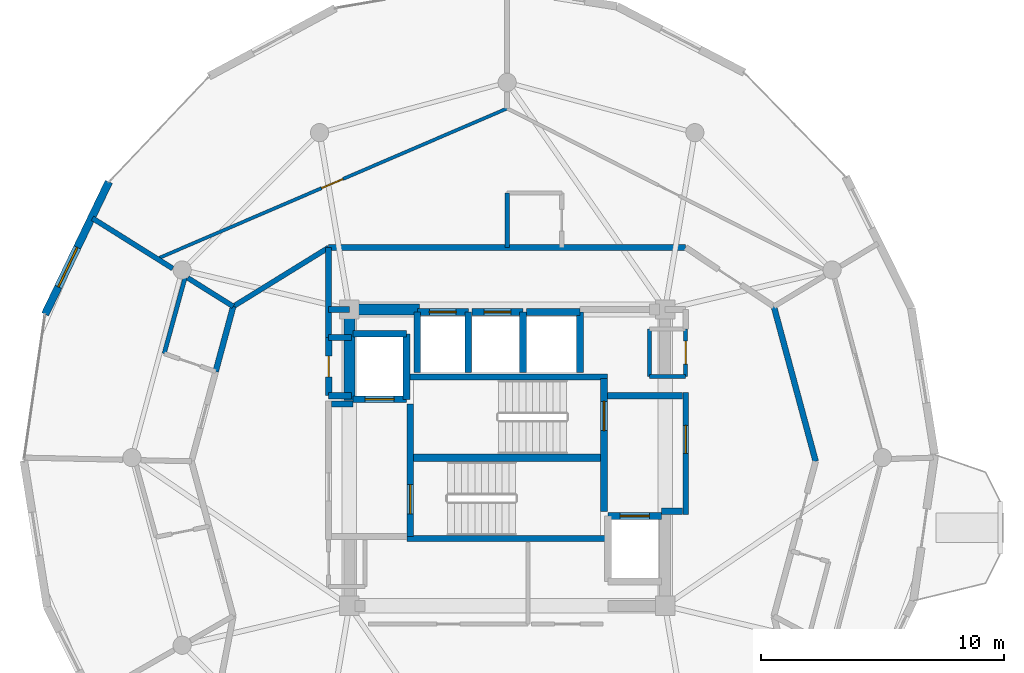
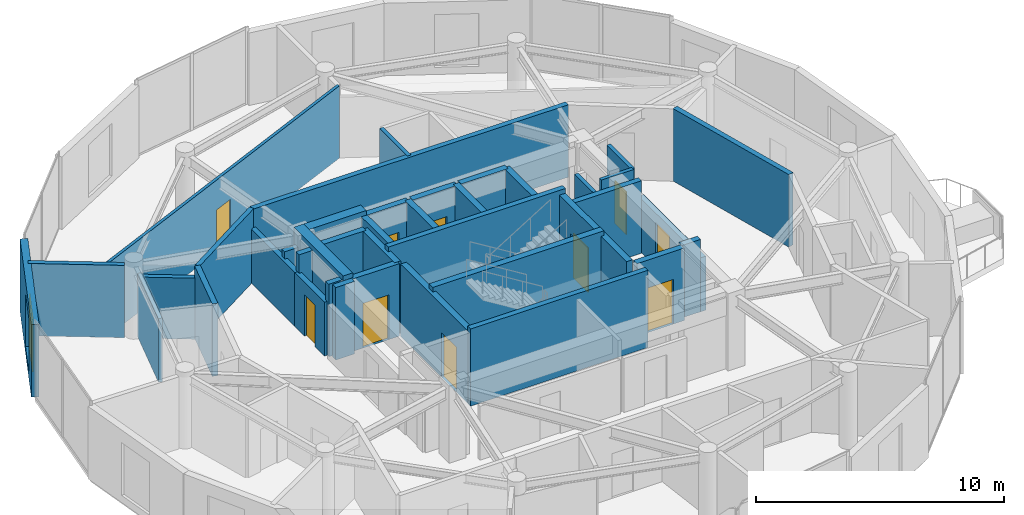
# One storey, part 18 of 22: 40 walls, 10 doors, 1 window, 11 openings.
"""IFC4 building model written with IfcOpenShell, lengths in metres."""

from ifc_helpers import new_model, si_unit, direction, frame, frame_2d, origin, place, context, subcontext, project, spatial, rectangle, extrude, material, layer, layer_set, type_object, element, fill, save


model = new_model("IFC4")

# Units and contexts
model_context = context("Model", 3, precision=1e-05, world=origin(), true_north=direction((0.0, 1.0)))
body_context = subcontext(model_context, "Body", "Model", "MODEL_VIEW")
ifc_project = project(units=[si_unit("LENGTHUNIT", "METRE"), si_unit("AREAUNIT", "SQUARE_METRE"), si_unit("VOLUMEUNIT", "CUBIC_METRE"), si_unit("PLANEANGLEUNIT", "RADIAN"), si_unit("MASSUNIT", "GRAM", prefix="KILO")], contexts=[model_context])

# Site, building, storey
site_placement = place(None, origin())
site = spatial("IfcSite", under=ifc_project, at=site_placement, CompositionType="ELEMENT")
building_placement = place(site_placement, origin())
building = spatial("IfcBuilding", under=site, at=building_placement, Name="Solvirekh Grand Hotel", CompositionType="ELEMENT")
storey_placement = place(building_placement, frame((0.0, 0.0, 278.199951171875)))
storey = spatial("IfcBuildingStorey", under=building, at=storey_placement, Name="L72", CompositionType="ELEMENT", Elevation=278.199951171875)

# Walls
ifc_material_1 = material(Name="Concrete C50/60", Category="concrete")
ifc_layer_1 = layer(ifc_material_1, 0.35009765625)
ifc_layer_set_1 = layer_set([ifc_layer_1], Name="Concrete C50/60")
wall_type_1 = type_object("IfcWallType", Name="CoreDivWall_RC350", PredefinedType="SOLIDWALL", material=ifc_layer_set_1)
for number, where, z_axis, x_axis, name in (
    (1, (-4.1298828125, -3.324951171875, 0.0), (0.0, 0.0, 1.0), (1.0, 0.0, 0.0), "L72 core stair box wall ST-S"),
    (2, (-4.1298828125, 3.324951171875, 0.0), (0.0, 0.0, 1.0), (1.0, 0.0, 0.0), "L72 core stair box wall ST-N"),
):
    element("IfcWall", number, at=place(storey_placement, frame(where, z_axis=z_axis, x_axis=x_axis)), inside=storey, type_object=wall_type_1, Name=name, PredefinedType="SOLIDWALL", context=body_context, shape_type="SweptSolid", body=[
        extrude(rectangle(XDim=8.259765625, YDim=0.25, at=frame_2d((4.1298828125, 0.0))), origin(), (0.0, 0.0, 1.0), 3.800048828125),
    ])

# Wall, opening, door
ifc_material_2 = material(Name="Concrete C40/50", Category="concrete")
ifc_layer_2 = layer(ifc_material_2, 0.280029296875)
ifc_layer_set_2 = layer_set([ifc_layer_2], Name="Concrete C40/50")
wall_type_2 = type_object("IfcWallType", Name="CoreShaftWall_RC280", PredefinedType="SOLIDWALL", material=ifc_layer_set_2)
wall_1_placement = place(storey_placement, frame((-1.60009765625, 6.0, 0.0), z_axis=(0.0, 0.0, 1.0), x_axis=(-1.0, 0.0, 0.0)))
wall_1 = element("IfcWall", 3, at=wall_1_placement, inside=storey, type_object=wall_type_2, Name="L72 HP-1 hoistway N wall", PredefinedType="SOLIDWALL", context=body_context, shape_type="SweptSolid", body=[
    extrude(rectangle(XDim=2.099853515625, YDim=0.280029296875, at=frame_2d((1.0498046875, 0.0))), origin(), (0.0, 0.0, 1.0), 3.570068359375),
])
opening_1_placement = place(wall_1_placement, frame((0.5, 0.0, 0.0)))
opening_1 = element("IfcOpeningElement", 4, at=opening_1_placement, cuts=wall_1, Name="Opening LD01", PredefinedType="OPENING", context=body_context, shape_type="SweptSolid", body=[
    extrude(rectangle(XDim=1.10009765625, YDim=2.199951171875, at=frame_2d((0.550048828125, 1.10009765625))), frame((0.0, 0.14990234375, 0.0), z_axis=(0.0, -1.0, 0.0), x_axis=(1.0, 0.0, 0.0)), (0.0, 0.0, 1.0), 0.300048828125),
])
ifc_material_3 = material(Name="Fire-Rated Steel Door Assembly", Category="steel")
door_type_1 = type_object("IfcDoorType", Name="Door_LiftLanding_1100X2200", OperationType="SLIDING_TO_LEFT", PredefinedType="DOOR", material=ifc_material_3)
door_1_placement = place(opening_1_placement, origin())
door_1 = element("IfcDoor", 5, at=door_1_placement, inside=storey, type_object=door_type_1, Name="L72 HP-1 sliding lift landing door", OperationType="SLIDING_TO_LEFT", OverallHeight=2.199951171875, OverallWidth=1.10009765625, PredefinedType="DOOR", context=body_context, shape_type="SweptSolid", body=[
    extrude(rectangle(XDim=1.10009765625, YDim=2.199951171875, at=frame_2d((0.550048828125, 1.10009765625))), frame((0.0, 0.02490234375, 0.0), z_axis=(0.0, -1.0, 0.0), x_axis=(1.0, 0.0, 0.0)), (0.0, 0.0, 1.0), 0.050048828125),
])
fill(opening_1, door_1)

# Walls
for number, where, z_axis, x_axis, name in (
    (6, (-3.699951171875, 6.0, 0.0), (0.0, 0.0, 1.0), (0.0, -1.0, 0.0), "L72 HP-1 hoistway W wall"),
    (7, (-1.60009765625, 3.5, 0.0), (0.0, 0.0, 1.0), (0.0, 1.0, 0.0), "L72 HP-1 hoistway E wall"),
):
    element("IfcWall", number, at=place(storey_placement, frame(where, z_axis=z_axis, x_axis=x_axis)), inside=storey, type_object=wall_type_2, Name=name, PredefinedType="SOLIDWALL", context=body_context, shape_type="SweptSolid", body=[
        extrude(rectangle(XDim=2.5, YDim=0.280029296875, at=frame_2d((1.25, 0.0))), origin(), (0.0, 0.0, 1.0), 3.570068359375),
    ])

# Wall, opening, door
wall_2_placement = place(storey_placement, frame((0.64990234375, 6.0, 0.0), z_axis=(0.0, 0.0, 1.0), x_axis=(-1.0, 0.0, 0.0)))
wall_2 = element("IfcWall", 8, at=wall_2_placement, inside=storey, type_object=wall_type_2, Name="L72 HP-2 hoistway N wall", PredefinedType="SOLIDWALL", context=body_context, shape_type="SweptSolid", body=[
    extrude(rectangle(XDim=2.099853515625, YDim=0.280029296875, at=frame_2d((1.0498046875, 0.0))), origin(), (0.0, 0.0, 1.0), 3.570068359375),
])
opening_2_placement = place(wall_2_placement, frame((0.5, 0.0, 0.0)))
opening_2 = element("IfcOpeningElement", 9, at=opening_2_placement, cuts=wall_2, Name="Opening LD01", PredefinedType="OPENING", context=body_context, shape_type="SweptSolid", body=[
    extrude(rectangle(XDim=1.10009765625, YDim=2.199951171875, at=frame_2d((0.550048828125, 1.10009765625))), frame((0.0, 0.14990234375, 0.0), z_axis=(0.0, -1.0, 0.0), x_axis=(1.0, 0.0, 0.0)), (0.0, 0.0, 1.0), 0.300048828125),
])
door_2_placement = place(opening_2_placement, origin())
door_2 = element("IfcDoor", 10, at=door_2_placement, inside=storey, type_object=door_type_1, Name="L72 HP-2 sliding lift landing door", OperationType="SLIDING_TO_LEFT", OverallHeight=2.199951171875, OverallWidth=1.10009765625, PredefinedType="DOOR", context=body_context, shape_type="SweptSolid", body=[
    extrude(rectangle(XDim=1.10009765625, YDim=2.199951171875, at=frame_2d((0.550048828125, 1.10009765625))), frame((0.0, 0.02490234375, 0.0), z_axis=(0.0, -1.0, 0.0), x_axis=(1.0, 0.0, 0.0)), (0.0, 0.0, 1.0), 0.050048828125),
])
fill(opening_2, door_2)

# Walls
wall_3_placement = place(storey_placement, frame((0.64990234375, 3.5, 0.0), z_axis=(0.0, 0.0, 1.0), x_axis=(0.0, 1.0, 0.0)))
element("IfcWall", 11, at=wall_3_placement, inside=storey, type_object=wall_type_2, Name="L72 HP-2 hoistway E wall", PredefinedType="SOLIDWALL", context=body_context, shape_type="SweptSolid", body=[
    extrude(rectangle(XDim=2.5, YDim=0.280029296875, at=frame_2d((1.25, 0.0))), origin(), (0.0, 0.0, 1.0), 3.570068359375),
])
wall_4_placement = place(storey_placement, frame((3.0, 6.0, 0.0), z_axis=(0.0, 0.0, 1.0), x_axis=(-1.0, 0.0, 0.0)))
element("IfcWall", 12, at=wall_4_placement, inside=storey, type_object=wall_type_2, Name="L72 EX-1 hoistway N wall", PredefinedType="SOLIDWALL", context=body_context, shape_type="SweptSolid", body=[
    extrude(rectangle(XDim=2.199951171875, YDim=0.280029296875, at=frame_2d((1.10009765625, 0.0))), origin(), (0.0, 0.0, 1.0), 3.570068359375),
])
wall_5_placement = place(storey_placement, frame((3.0, 3.5, 0.0), z_axis=(0.0, 0.0, 1.0), x_axis=(0.0, 1.0, 0.0)))
element("IfcWall", 13, at=wall_5_placement, inside=storey, type_object=wall_type_2, Name="L72 EX-1 hoistway E wall", PredefinedType="SOLIDWALL", context=body_context, shape_type="SweptSolid", body=[
    extrude(rectangle(XDim=2.5, YDim=0.280029296875, at=frame_2d((1.25, 0.0))), origin(), (0.0, 0.0, 1.0), 3.570068359375),
])

# Wall, opening, door
wall_6_placement = place(storey_placement, frame((-6.35009765625, 2.39990234375, 0.0), z_axis=(0.0, 0.0, 1.0), x_axis=(1.0, 0.0, 0.0)))
wall_6 = element("IfcWall", 14, at=wall_6_placement, inside=storey, type_object=wall_type_2, Name="L72 FL-1 hoistway S wall", PredefinedType="SOLIDWALL", context=body_context, shape_type="SweptSolid", body=[
    extrude(rectangle(XDim=2.2001953125, YDim=0.280029296875, at=frame_2d((1.10009765625, 0.0))), origin(), (0.0, 0.0, 1.0), 3.570068359375),
])
opening_3_placement = place(wall_6_placement, frame((0.5, 0.0, 0.0)))
opening_3 = element("IfcOpeningElement", 15, at=opening_3_placement, cuts=wall_6, Name="Opening LD02", PredefinedType="OPENING", context=body_context, shape_type="SweptSolid", body=[
    extrude(rectangle(XDim=1.199951171875, YDim=2.199951171875, at=frame_2d((0.60009765625, 1.10009765625))), frame((0.0, 0.14990234375, 0.0), z_axis=(0.0, -1.0, 0.0), x_axis=(1.0, 0.0, 0.0)), (0.0, 0.0, 1.0), 0.300048828125),
])
door_type_2 = type_object("IfcDoorType", Name="Door_LiftFF_1200X2200", OperationType="SLIDING_TO_LEFT", PredefinedType="DOOR", material=ifc_material_3)
door_3_placement = place(opening_3_placement, origin())
door_3 = element("IfcDoor", 16, at=door_3_placement, inside=storey, type_object=door_type_2, Name="L72 FL-1 sliding lift landing door", OperationType="SLIDING_TO_LEFT", OverallHeight=2.199951171875, OverallWidth=1.199951171875, PredefinedType="DOOR", context=body_context, shape_type="SweptSolid", body=[
    extrude(rectangle(XDim=1.199951171875, YDim=2.199951171875, at=frame_2d((0.60009765625, 1.10009765625))), frame((0.0, 0.02490234375, 0.0), z_axis=(0.0, -1.0, 0.0), x_axis=(1.0, 0.0, 0.0)), (0.0, 0.0, 1.0), 0.050048828125),
])
fill(opening_3, door_3)

# Walls
wall_7_placement = place(storey_placement, frame((-4.14990234375, 5.10009765625, 0.0), z_axis=(0.0, 0.0, 1.0), x_axis=(-1.0, 0.0, 0.0)))
element("IfcWall", 17, at=wall_7_placement, inside=storey, type_object=wall_type_2, Name="L72 FL-1 hoistway N wall", PredefinedType="SOLIDWALL", context=body_context, shape_type="SweptSolid", body=[
    extrude(rectangle(XDim=2.2001953125, YDim=0.280029296875, at=frame_2d((1.10009765625, 0.0))), origin(), (0.0, 0.0, 1.0), 3.570068359375),
])
wall_8_placement = place(storey_placement, frame((-4.14990234375, 2.39990234375, 0.0), z_axis=(0.0, 0.0, 1.0), x_axis=(0.0, 1.0, 0.0)))
element("IfcWall", 18, at=wall_8_placement, inside=storey, type_object=wall_type_2, Name="L72 FL-1 hoistway E wall", PredefinedType="SOLIDWALL", context=body_context, shape_type="SweptSolid", body=[
    extrude(rectangle(XDim=2.7001953125, YDim=0.280029296875, at=frame_2d((1.35009765625, 0.0))), origin(), (0.0, 0.0, 1.0), 3.570068359375),
])

# Wall, opening, door
wall_9_placement = place(storey_placement, frame((6.35009765625, -2.39990234375, 0.0), z_axis=(0.0, 0.0, 1.0), x_axis=(-1.0, 0.0, 0.0)))
wall_9 = element("IfcWall", 19, at=wall_9_placement, inside=storey, type_object=wall_type_2, Name="L72 FL-2 hoistway N wall", PredefinedType="SOLIDWALL", context=body_context, shape_type="SweptSolid", body=[
    extrude(rectangle(XDim=2.2001953125, YDim=0.280029296875, at=frame_2d((1.10009765625, 0.0))), origin(), (0.0, 0.0, 1.0), 3.570068359375),
])
opening_4_placement = place(wall_9_placement, frame((0.5, 0.0, 0.0)))
opening_4 = element("IfcOpeningElement", 20, at=opening_4_placement, cuts=wall_9, Name="Opening LD02", PredefinedType="OPENING", context=body_context, shape_type="SweptSolid", body=[
    extrude(rectangle(XDim=1.199951171875, YDim=2.199951171875, at=frame_2d((0.60009765625, 1.10009765625))), frame((0.0, 0.14990234375, 0.0), z_axis=(0.0, -1.0, 0.0), x_axis=(1.0, 0.0, 0.0)), (0.0, 0.0, 1.0), 0.300048828125),
])
door_4_placement = place(opening_4_placement, origin())
door_4 = element("IfcDoor", 21, at=door_4_placement, inside=storey, type_object=door_type_2, Name="L72 FL-2 sliding lift landing door", OperationType="SLIDING_TO_LEFT", OverallHeight=2.199951171875, OverallWidth=1.199951171875, PredefinedType="DOOR", context=body_context, shape_type="SweptSolid", body=[
    extrude(rectangle(XDim=1.199951171875, YDim=2.199951171875, at=frame_2d((0.60009765625, 1.10009765625))), frame((0.0, 0.02490234375, 0.0), z_axis=(0.0, -1.0, 0.0), x_axis=(1.0, 0.0, 0.0)), (0.0, 0.0, 1.0), 0.050048828125),
])
fill(opening_4, door_4)

wall_10_placement = place(storey_placement, frame((-3.989990234375, -3.25, 0.0), z_axis=(0.0, 0.0, 1.0), x_axis=(0.0, 1.0, 0.0)))
wall_10 = element("IfcWall", 22, at=wall_10_placement, inside=storey, type_object=wall_type_2, Name="L72 west stair landing enclosure wall", PredefinedType="SOLIDWALL", context=body_context, shape_type="SweptSolid", body=[
    extrude(rectangle(XDim=5.4599609375, YDim=0.280029296875, at=frame_2d((2.72998046875, 0.0))), origin(), (0.0, 0.0, 1.0), 3.570068359375),
])
opening_5_placement = place(wall_10_placement, frame((0.93701171875, 0.0, 0.0)))
opening_5 = element("IfcOpeningElement", 23, at=opening_5_placement, cuts=wall_10, Name="Opening D05", PredefinedType="OPENING", context=body_context, shape_type="SweptSolid", body=[
    extrude(rectangle(XDim=1.199951171875, YDim=2.199951171875, at=frame_2d((0.60009765625, 1.10009765625))), frame((0.0, 0.14990234375, 0.0), z_axis=(0.0, -1.0, 0.0), x_axis=(1.0, 0.0, 0.0)), (0.0, 0.0, 1.0), 0.300048828125),
])
door_type_3 = type_object("IfcDoorType", Name="Door_StairCore_1200X2200", OperationType="NOTDEFINED", PredefinedType="DOOR", material=ifc_material_3)
door_5_placement = place(opening_5_placement, origin())
door_5 = element("IfcDoor", 24, at=door_5_placement, inside=storey, type_object=door_type_3, Name="L72 exit stair ST-1 fire door", OperationType="SINGLE_SWING_LEFT", OverallHeight=2.199951171875, OverallWidth=1.199951171875, PredefinedType="DOOR", context=body_context, shape_type="SweptSolid", body=[
    extrude(rectangle(XDim=1.199951171875, YDim=2.199951171875, at=frame_2d((0.60009765625, 1.10009765625))), frame((0.0, 0.02490234375, 0.0), z_axis=(0.0, -1.0, 0.0), x_axis=(1.0, 0.0, 0.0)), (0.0, 0.0, 1.0), 0.050048828125),
])
fill(opening_5, door_5)

wall_11_placement = place(storey_placement, frame((3.989990234375, -2.2099609375, 0.0), z_axis=(0.0, 0.0, 1.0), x_axis=(0.0, 1.0, 0.0)))
wall_11 = element("IfcWall", 25, at=wall_11_placement, inside=storey, type_object=wall_type_2, Name="L72 east stair landing enclosure wall", PredefinedType="SOLIDWALL", context=body_context, shape_type="SweptSolid", body=[
    extrude(rectangle(XDim=5.4599609375, YDim=0.280029296875, at=frame_2d((2.72998046875, 0.0))), origin(), (0.0, 0.0, 1.0), 3.570068359375),
])
opening_6_placement = place(wall_11_placement, frame((3.322998046875, 0.0, 0.0)))
opening_6 = element("IfcOpeningElement", 26, at=opening_6_placement, cuts=wall_11, Name="Opening D05", PredefinedType="OPENING", context=body_context, shape_type="SweptSolid", body=[
    extrude(rectangle(XDim=1.199951171875, YDim=2.199951171875, at=frame_2d((0.60009765625, 1.10009765625))), frame((0.0, 0.14990234375, 0.0), z_axis=(0.0, -1.0, 0.0), x_axis=(1.0, 0.0, 0.0)), (0.0, 0.0, 1.0), 0.300048828125),
])
door_6_placement = place(opening_6_placement, origin())
door_6 = element("IfcDoor", 27, at=door_6_placement, inside=storey, type_object=door_type_3, Name="L72 exit stair ST-2 fire door", OperationType="SINGLE_SWING_RIGHT", OverallHeight=2.199951171875, OverallWidth=1.199951171875, PredefinedType="DOOR", context=body_context, shape_type="SweptSolid", body=[
    extrude(rectangle(XDim=1.199951171875, YDim=2.199951171875, at=frame_2d((0.60009765625, 1.10009765625))), frame((0.0, 0.02490234375, 0.0), z_axis=(0.0, -1.0, 0.0), x_axis=(1.0, 0.0, 0.0)), (0.0, 0.0, 1.0), 0.050048828125),
])
fill(opening_6, door_6)

# Walls
ifc_layer_3 = layer(ifc_material_1, 0.449951171875)
ifc_layer_set_3 = layer_set([ifc_layer_3], Name="Concrete C50/60")
wall_type_3 = type_object("IfcWallType", Name="CoreWall_RC450", PredefinedType="SHEAR", material=ifc_layer_set_3)
wall_12_placement = place(storey_placement, frame((-3.989990234375, 0.0, 0.0), z_axis=(0.0, 0.0, 1.0), x_axis=(1.0, 0.0, 0.0)))
element("IfcWall", 28, at=wall_12_placement, inside=storey, type_object=wall_type_3, Name="L72 central stair-spine shear wall", PredefinedType="SHEAR", context=body_context, shape_type="SweptSolid", body=[
    extrude(rectangle(XDim=7.97998046875, YDim=0.300048828125, at=frame_2d((3.989990234375, 0.0))), origin(), (0.0, 0.0, 1.0), 3.800048828125),
])
wall_13_placement = place(storey_placement, frame((-6.27490234375, 6.10009765625, 0.0), z_axis=(0.0, 0.0, 1.0), x_axis=(1.0, 0.0, 0.0)))
element("IfcWall", 29, at=wall_13_placement, inside=storey, type_object=wall_type_3, Name="L72 core corner shear wall NW-N", PredefinedType="SHEAR", context=body_context, shape_type="SweptSolid", body=[
    extrude(rectangle(XDim=2.6748046875, YDim=0.449951171875, at=frame_2d((1.33740234375, 0.0))), origin(), (0.0, 0.0, 1.0), 3.800048828125),
])
wall_14_placement = place(storey_placement, frame((-6.5, 2.35009765625, 0.0), z_axis=(0.0, 0.0, 1.0), x_axis=(0.0, 1.0, 0.0)))
element("IfcWall", 30, at=wall_14_placement, inside=storey, type_object=wall_type_3, Name="L72 core corner shear wall WN-W", PredefinedType="SHEAR", context=body_context, shape_type="SweptSolid", body=[
    extrude(rectangle(XDim=3.974853515625, YDim=0.449951171875, at=frame_2d((1.9873046875, 0.0))), origin(), (0.0, 0.0, 1.0), 3.800048828125),
])

# Wall, opening, window
ifc_material_4 = material(Name="Precast concrete C45/55", Category="concrete")
ifc_layer_4 = layer(ifc_material_4, 0.320068359375)
ifc_layer_set_4 = layer_set([ifc_layer_4], Name="Precast concrete C45/55")
wall_type_4 = type_object("IfcWallType", Name="ExtLobbyWall_RC320", PredefinedType="SOLIDWALL", material=ifc_layer_set_4)
wall_15_placement = place(storey_placement, frame((-19.02392578125, 5.90087890625, 0.0), z_axis=(0.0, 0.0, 1.0), x_axis=(0.433611899422, 0.901099728487, 0.0)))
wall_15 = element("IfcWall", 31, at=wall_15_placement, inside=storey, type_object=wall_type_4, Name="L72 exterior structural wall chord 14", PredefinedType="SOLIDWALL", context=body_context, shape_type="SweptSolid", body=[
    extrude(rectangle(XDim=6.0537109375, YDim=0.320068359375, at=frame_2d((3.02685546875, 0.0))), origin(), (0.0, 0.0, 1.0), 3.570068359375),
])
opening_7_placement = place(wall_15_placement, frame((1.2548828125, 0.0, 0.35009765625)))
opening_7 = element("IfcOpeningElement", 32, at=opening_7_placement, cuts=wall_15, Name="Opening W02", PredefinedType="OPENING", context=body_context, shape_type="SweptSolid", body=[
    extrude(rectangle(XDim=1.800048828125, YDim=2.60009765625, at=frame_2d((0.89990234375, 1.300048828125))), frame((0.0, 0.169921875, 0.0), z_axis=(0.0, -1.0, 0.0), x_axis=(1.0, 0.0, 0.0)), (0.0, 0.0, 1.0), 0.340087890625),
])
ifc_material_5 = material(Name="Low-E Tinted Bronze Laminated Glass", Category="aluminium")
window_type = type_object("IfcWindowType", Name="Win_LobbyExt_1800X2600", PartitioningType="SINGLE_PANEL", PredefinedType="WINDOW", material=ifc_material_5)
window_placement = place(opening_7_placement, origin())
window = element("IfcWindow", 33, at=window_placement, inside=storey, type_object=window_type, Name="L72 panoramic bronze-framed window 14", OverallHeight=2.60009765625, OverallWidth=1.800048828125, PartitioningType="SINGLE_PANEL", PredefinedType="WINDOW", context=body_context, shape_type="SweptSolid", body=[
    extrude(rectangle(XDim=1.800048828125, YDim=2.60009765625, at=frame_2d((0.89990234375, 1.300048828125))), frame((0.0, 0.030029296875, 0.0), z_axis=(0.0, -1.0, 0.0), x_axis=(1.0, 0.0, 0.0)), (0.0, 0.0, 1.0), 0.06005859375),
])
fill(opening_7, window)

# Wall
ifc_material_6 = material(Name="Acoustic Gypsum Partition Assembly")
ifc_layer_5 = layer(ifc_material_6, 0.1650390625)
ifc_layer_set_5 = layer_set([ifc_layer_5], Name="Acoustic Gypsum Partition Assembly")
wall_type_5 = type_object("IfcWallType", Name="Part_BOH_165", PredefinedType="PARTITIONING", material=ifc_layer_set_5)
wall_16_placement = place(storey_placement, frame((5.85009765625, 3.35009765625, 0.0), z_axis=(0.0, 0.0, 1.0), x_axis=(1.0, 0.0, 0.0)))
element("IfcWall", 34, at=wall_16_placement, inside=storey, type_object=wall_type_5, Name="L72 L72 Core Housekeeping Room wall 1", PredefinedType="PARTITIONING", context=body_context, shape_type="SweptSolid", body=[
    extrude(rectangle(XDim=1.5, YDim=0.1650390625, at=frame_2d((0.75, 0.0))), origin(), (0.0, 0.0, 1.0), 3.570068359375),
])

# Wall, opening, door
wall_17_placement = place(storey_placement, frame((7.35009765625, 3.35009765625, 0.0), z_axis=(0.0, 0.0, 1.0), x_axis=(0.0, 1.0, 0.0)))
wall_17 = element("IfcWall", 35, at=wall_17_placement, inside=storey, type_object=wall_type_5, Name="L72 L72 Core Housekeeping Room wall 2", PredefinedType="PARTITIONING", context=body_context, shape_type="SweptSolid", body=[
    extrude(rectangle(XDim=1.949951171875, YDim=0.1650390625, at=frame_2d((0.97509765625, 0.0))), origin(), (0.0, 0.0, 1.0), 3.570068359375),
])
opening_8_placement = place(wall_17_placement, frame((0.5, 0.0, 0.0)))
opening_8 = element("IfcOpeningElement", 36, at=opening_8_placement, cuts=wall_17, Name="Opening D10", PredefinedType="OPENING", context=body_context, shape_type="SweptSolid", body=[
    extrude(rectangle(XDim=0.949951171875, YDim=2.10009765625, at=frame_2d((0.47509765625, 1.050048828125))), frame((0.0, 0.092529296875, 0.0), z_axis=(0.0, -1.0, 0.0), x_axis=(1.0, 0.0, 0.0)), (0.0, 0.0, 1.0), 0.18505859375),
])
ifc_material_7 = material(Name="Anodized Bronze Aluminium 6063-T6", Category="aluminium")
door_type_4 = type_object("IfcDoorType", Name="Door_RoomInt_950X2100", OperationType="NOTDEFINED", PredefinedType="DOOR", material=ifc_material_7)
door_7_placement = place(opening_8_placement, origin())
door_7 = element("IfcDoor", 37, at=door_7_placement, inside=storey, type_object=door_type_4, Name="L72 L72 Core Housekeeping Room door", OperationType="SINGLE_SWING_LEFT", OverallHeight=2.10009765625, OverallWidth=0.949951171875, PredefinedType="DOOR", context=body_context, shape_type="SweptSolid", body=[
    extrude(rectangle(XDim=0.949951171875, YDim=2.10009765625, at=frame_2d((0.47509765625, 1.050048828125))), frame((0.0, 0.02490234375, 0.0), z_axis=(0.0, -1.0, 0.0), x_axis=(1.0, 0.0, 0.0)), (0.0, 0.0, 1.0), 0.050048828125),
])
fill(opening_8, door_7)

# Wall
wall_18_placement = place(storey_placement, frame((5.85009765625, 5.300048828125, 0.0), z_axis=(0.0, 0.0, 1.0), x_axis=(0.0, -1.0, 0.0)))
element("IfcWall", 38, at=wall_18_placement, inside=storey, type_object=wall_type_5, Name="L72 L72 Core Housekeeping Room wall 4", PredefinedType="PARTITIONING", context=body_context, shape_type="SweptSolid", body=[
    extrude(rectangle(XDim=1.949951171875, YDim=0.1650390625, at=frame_2d((0.97509765625, 0.0))), origin(), (0.0, 0.0, 1.0), 2.655029296875),
])

# Wall, opening, door
ifc_layer_6 = layer(ifc_material_6, 0.239990234375)
ifc_layer_set_6 = layer_set([ifc_layer_6], Name="Acoustic Gypsum Partition Assembly")
wall_type_6 = type_object("IfcWallType", Name="Part_Corridor_240", PredefinedType="PARTITIONING", material=ifc_layer_set_6)
wall_19_placement = place(storey_placement, frame((7.35009765625, -2.340087890625, 0.0), z_axis=(0.0, 0.0, 1.0), x_axis=(0.0, 1.0, 0.0)))
wall_19 = element("IfcWall", 39, at=wall_19_placement, inside=storey, type_object=wall_type_6, Name="L72 east firefighting lobby smoke screen wall", PredefinedType="PARTITIONING", context=body_context, shape_type="SweptSolid", body=[
    extrude(rectangle(XDim=5.02001953125, YDim=0.239990234375, at=frame_2d((2.510009765625, 0.0))), origin(), (0.0, 0.0, 1.0), 2.655029296875),
])
opening_9_placement = place(wall_19_placement, frame((2.514892578125, 0.0, 0.0)))
opening_9 = element("IfcOpeningElement", 40, at=opening_9_placement, cuts=wall_19, Name="Opening D06", PredefinedType="OPENING", context=body_context, shape_type="SweptSolid", body=[
    extrude(rectangle(XDim=1.14990234375, YDim=2.199951171875, at=frame_2d((0.574951171875, 1.10009765625))), frame((0.0, 0.1298828125, 0.0), z_axis=(0.0, -1.0, 0.0), x_axis=(1.0, 0.0, 0.0)), (0.0, 0.0, 1.0), 0.260009765625),
])
door_type_5 = type_object("IfcDoorType", Name="Door_FFLobby_1150X2200", OperationType="NOTDEFINED", PredefinedType="DOOR", material=ifc_material_3)
door_8_placement = place(opening_9_placement, origin())
door_8 = element("IfcDoor", 41, at=door_8_placement, inside=storey, type_object=door_type_5, Name="L72 east firefighting lobby smoke door", OperationType="SINGLE_SWING_RIGHT", OverallHeight=2.199951171875, OverallWidth=1.14990234375, PredefinedType="DOOR", context=body_context, shape_type="SweptSolid", body=[
    extrude(rectangle(XDim=1.14990234375, YDim=2.199951171875, at=frame_2d((0.574951171875, 1.10009765625))), frame((0.0, 0.02490234375, 0.0), z_axis=(0.0, -1.0, 0.0), x_axis=(1.0, 0.0, 0.0)), (0.0, 0.0, 1.0), 0.050048828125),
])
fill(opening_9, door_8)

# Walls
wall_20_placement = place(storey_placement, frame((-7.35009765625, 8.64990234375, 0.0), z_axis=(0.0, 0.0, 1.0), x_axis=(1.0, 0.0, 0.0)))
element("IfcWall", 42, at=wall_20_placement, inside=storey, type_object=wall_type_6, Name="L72 north lift lobby enclosure wall", PredefinedType="PARTITIONING", context=body_context, shape_type="SweptSolid", body=[
    extrude(rectangle(XDim=14.7001953125, YDim=0.239990234375, at=frame_2d((7.35009765625, 0.0))), origin(), (0.0, 0.0, 1.0), 3.570068359375),
])
wall_21_placement = place(storey_placement, frame((-7.35009765625, 4.949951171875, 0.0), z_axis=(0.0, 0.0, 1.0), x_axis=(0.0, 1.0, 0.0)))
element("IfcWall", 43, at=wall_21_placement, inside=storey, type_object=wall_type_6, Name="L72 north lift lobby west wall", PredefinedType="PARTITIONING", context=body_context, shape_type="SweptSolid", body=[
    extrude(rectangle(XDim=3.699951171875, YDim=0.239990234375, at=frame_2d((1.85009765625, 0.0))), origin(), (0.0, 0.0, 1.0), 2.655029296875),
])
wall_22_placement = place(storey_placement, frame((-7.35009765625, 6.10009765625, 0.0), z_axis=(0.0, 0.0, 1.0), x_axis=(1.0, 0.0, 0.0)))
element("IfcWall", 44, at=wall_22_placement, inside=storey, type_object=wall_type_6, Name="L72 NW core corner closure wall", PredefinedType="PARTITIONING", context=body_context, shape_type="SweptSolid", body=[
    extrude(rectangle(XDim=0.85009765625, YDim=0.239990234375, at=frame_2d((0.425048828125, 0.0))), origin(), (0.0, 0.0, 1.0), 3.010986328125),
])
wall_23_placement = place(storey_placement, frame((-11.278076171875, 6.22509765625, 0.0), z_axis=(0.0, 0.0, 1.0), x_axis=(-0.260614169726, -0.965443035367, 0.0)))
element("IfcWall", 45, at=wall_23_placement, inside=storey, type_object=wall_type_6, Name="L72 En-suite Bathroom 7402 corridor backing wall", PredefinedType="PARTITIONING", context=body_context, shape_type="SweptSolid", body=[
    extrude(rectangle(XDim=2.77392578125, YDim=0.239990234375, at=frame_2d((1.386962890625, 0.0))), origin(), (0.0, 0.0, 1.0), 3.570068359375),
])
wall_24_placement = place(storey_placement, frame((12.699951171875, -0.14990234375, 0.0), z_axis=(0.0, 0.0, 1.0), x_axis=(-0.260760959349, 0.965403398626, 0.0)))
element("IfcWall", 46, at=wall_24_placement, inside=storey, type_object=wall_type_6, Name="L72 Executive Suite 7404 Living Room corridor wall 1", PredefinedType="PARTITIONING", context=body_context, shape_type="SweptSolid", body=[
    extrude(rectangle(XDim=6.603515625, YDim=0.239990234375, at=frame_2d((3.3017578125, 0.0))), origin(), (0.0, 0.0, 1.0), 3.570068359375),
])
ifc_layer_7 = layer(ifc_material_6, 0.260009765625)
ifc_layer_set_7 = layer_set([ifc_layer_7], Name="Acoustic Gypsum Partition Assembly")
wall_type_7 = type_object("IfcWallType", Name="Part_LobbyFF_260", PredefinedType="PARTITIONING", material=ifc_layer_set_7)
for number, where, z_axis, x_axis, name in (
    (47, (-7.22509765625, 2.2099609375, 0.0), (0.0, 0.0, 1.0), (1.0, 0.0, 0.0), "L72 west firefighting lobby NW cheek"),
    (48, (6.35009765625, -2.2099609375, 0.0), (0.0, 0.0, 1.0), (1.0, 0.0, 0.0), "L72 east firefighting lobby SE cheek"),
):
    element("IfcWall", number, at=place(storey_placement, frame(where, z_axis=z_axis, x_axis=x_axis)), inside=storey, type_object=wall_type_7, Name=name, PredefinedType="PARTITIONING", context=body_context, shape_type="SweptSolid", body=[
        extrude(rectangle(XDim=0.875, YDim=0.260009765625, at=frame_2d((0.4375, 0.0))), origin(), (0.0, 0.0, 1.0), 3.570068359375),
    ])
wall_25_placement = place(storey_placement, frame((4.1298828125, 2.550048828125, 0.0), z_axis=(0.0, 0.0, 1.0), x_axis=(1.0, 0.0, 0.0)))
element("IfcWall", 49, at=wall_25_placement, inside=storey, type_object=wall_type_7, Name="L72 east firefighting lobby north partition", PredefinedType="PARTITIONING", context=body_context, shape_type="SweptSolid", body=[
    extrude(rectangle(XDim=3.09521484375, YDim=0.260009765625, at=frame_2d((1.547607421875, 0.0))), origin(), (0.0, 0.0, 1.0), 3.570068359375),
])
for number, where, z_axis, x_axis, name in (
    (50, (-7.35009765625, 4.949951171875, 0.0), (0.0, 0.0, 1.0), (1.0, 0.0, 0.0), "L72 NW telecom metering cupboard north wall"),
    (51, (-7.35009765625, 2.550048828125, 0.0), (0.0, 0.0, 1.0), (1.0, 0.0, 0.0), "L72 NW telecom metering cupboard south wall"),
):
    element("IfcWall", number, at=place(storey_placement, frame(where, z_axis=z_axis, x_axis=x_axis)), inside=storey, type_object=wall_type_7, Name=name, PredefinedType="PARTITIONING", context=body_context, shape_type="SweptSolid", body=[
        extrude(rectangle(XDim=0.93017578125, YDim=0.260009765625, at=frame_2d((0.465087890625, 0.0))), origin(), (0.0, 0.0, 1.0), 3.570068359375),
    ])

# Wall, opening, door
wall_26_placement = place(storey_placement, frame((-7.35009765625, 2.550048828125, 0.0), z_axis=(0.0, 0.0, 1.0), x_axis=(0.0, 1.0, 0.0)))
wall_26 = element("IfcWall", 52, at=wall_26_placement, inside=storey, type_object=wall_type_7, Name="L72 NW telecom metering cupboard access wall", PredefinedType="PARTITIONING", context=body_context, shape_type="SweptSolid", body=[
    extrude(rectangle(XDim=2.39990234375, YDim=0.260009765625, at=frame_2d((1.199951171875, 0.0))), origin(), (0.0, 0.0, 1.0), 2.655029296875),
])
opening_10_placement = place(wall_26_placement, frame((0.77490234375, 0.0, 0.0)))
opening_10 = element("IfcOpeningElement", 53, at=opening_10_placement, cuts=wall_26, Name="Opening D13", PredefinedType="OPENING", context=body_context, shape_type="SweptSolid", body=[
    extrude(rectangle(XDim=0.85009765625, YDim=2.050048828125, at=frame_2d((0.425048828125, 1.02490234375))), frame((0.0, 0.14013671875, 0.0), z_axis=(0.0, -1.0, 0.0), x_axis=(1.0, 0.0, 0.0)), (0.0, 0.0, 1.0), 0.280029296875),
])
door_type_6 = type_object("IfcDoorType", Name="Door_RiserShaft_850X2050", OperationType="NOTDEFINED", PredefinedType="DOOR", material=ifc_material_3)
door_9_placement = place(opening_10_placement, origin())
door_9 = element("IfcDoor", 54, at=door_9_placement, inside=storey, type_object=door_type_6, Name="L72 telecom metering cupboard access door", OperationType="SINGLE_SWING_LEFT", OverallHeight=2.050048828125, OverallWidth=0.85009765625, PredefinedType="DOOR", context=body_context, shape_type="SweptSolid", body=[
    extrude(rectangle(XDim=0.85009765625, YDim=2.050048828125, at=frame_2d((0.425048828125, 1.02490234375))), frame((0.0, 0.02490234375, 0.0), z_axis=(0.0, -1.0, 0.0), x_axis=(1.0, 0.0, 0.0)), (0.0, 0.0, 1.0), 0.050048828125),
])
fill(opening_10, door_9)

ifc_layer_8 = layer(ifc_material_6, 0.135009765625)
ifc_layer_set_8 = layer_set([ifc_layer_8], Name="Acoustic Gypsum Partition Assembly")
wall_type_8 = type_object("IfcWallType", Name="Part_RoomInt_135", PredefinedType="PARTITIONING", material=ifc_layer_set_8)
wall_27_placement = place(storey_placement, frame((-14.407958984375, 8.18701171875, 0.0), z_axis=(0.0, 0.0, 1.0), x_axis=(0.918773394329, 0.394785321247, 0.0)))
wall_27 = element("IfcWall", 55, at=wall_27_placement, inside=storey, type_object=wall_type_8, Name="L72 Panorama Suite 7401 Observatory Library bedroom screen wall", PredefinedType="PARTITIONING", context=body_context, shape_type="SweptSolid", body=[
    extrude(rectangle(XDim=15.681640625, YDim=0.135009765625, at=frame_2d((7.8408203125, 0.0))), origin(), (0.0, 0.0, 1.0), 3.570068359375),
])
opening_11_placement = place(wall_27_placement, frame((7.365966796875, 0.0, 0.0)))
opening_11 = element("IfcOpeningElement", 56, at=opening_11_placement, cuts=wall_27, Name="Opening D10", PredefinedType="OPENING", context=body_context, shape_type="SweptSolid", body=[
    extrude(rectangle(XDim=0.949951171875, YDim=2.10009765625, at=frame_2d((0.47509765625, 1.050048828125))), frame((0.0, 0.07763671875, 0.0), z_axis=(0.0, -1.0, 0.0), x_axis=(1.0, 0.0, 0.0)), (0.0, 0.0, 1.0), 0.155029296875),
])
door_10_placement = place(opening_11_placement, origin())
door_10 = element("IfcDoor", 57, at=door_10_placement, inside=storey, type_object=door_type_4, Name="L72 Panorama Suite 7401 Observatory Library master bedroom door", OperationType="SINGLE_SWING_LEFT", OverallHeight=2.10009765625, OverallWidth=0.949951171875, PredefinedType="DOOR", context=body_context, shape_type="SweptSolid", body=[
    extrude(rectangle(XDim=0.949951171875, YDim=2.10009765625, at=frame_2d((0.47509765625, 1.050048828125))), frame((0.0, 0.02490234375, 0.0), z_axis=(0.0, -1.0, 0.0), x_axis=(1.0, 0.0, 0.0)), (0.0, 0.0, 1.0), 0.050048828125),
])
fill(opening_11, door_10)

# Walls
ifc_layer_9 = layer(ifc_material_6, 0.2099609375)
ifc_layer_set_9 = layer_set([ifc_layer_9], Name="Acoustic Gypsum Partition Assembly")
wall_type_9 = type_object("IfcWallType", Name="Part_SuiteDemise_210", PredefinedType="PARTITIONING", material=ifc_layer_set_9)
wall_28_placement = place(storey_placement, frame((-11.278076171875, 6.22509765625, 0.0), z_axis=(0.0, 0.0, 1.0), x_axis=(-0.847328563413, 0.531069021525, 0.0)))
element("IfcWall", 58, at=wall_28_placement, inside=storey, type_object=wall_type_9, Name="L72 suite radial wall 6 (A)", PredefinedType="PARTITIONING", context=body_context, shape_type="SweptSolid", body=[
    extrude(rectangle(XDim=2.214111328125, YDim=0.2099609375, at=frame_2d((1.10693359375, 0.0))), origin(), (0.0, 0.0, 1.0), 3.010986328125),
])
wall_29_placement = place(storey_placement, frame((-13.77001953125, 7.787109375, 0.0), z_axis=(0.0, 0.0, 1.0), x_axis=(-0.847396390163, 0.530960787572, 0.0)))
element("IfcWall", 59, at=wall_29_placement, inside=storey, type_object=wall_type_9, Name="L72 suite radial wall 6 (B)", PredefinedType="PARTITIONING", context=body_context, shape_type="SweptSolid", body=[
    extrude(rectangle(XDim=3.900146484375, YDim=0.2099609375, at=frame_2d((1.9501953125, 0.0))), origin(), (0.0, 0.0, 1.0), 3.570068359375),
])
wall_30_placement = place(storey_placement, frame((-11.278076171875, 6.22509765625, 0.0), z_axis=(0.0, 0.0, 1.0), x_axis=(0.85092385233, 0.525289060933, 0.0)))
element("IfcWall", 60, at=wall_30_placement, inside=storey, type_object=wall_type_9, Name="L72 Panorama Suite 7401 Inner Suite Lounge dividing partition 1", PredefinedType="PARTITIONING", context=body_context, shape_type="SweptSolid", body=[
    extrude(rectangle(XDim=4.6162109375, YDim=0.2099609375, at=frame_2d((2.30810546875, 0.0))), origin(), (0.0, 0.0, 1.0), 3.570068359375),
])
ifc_layer_10 = layer(ifc_material_6, 0.175048828125)
ifc_layer_set_10 = layer_set([ifc_layer_10], Name="Acoustic Gypsum Partition Assembly")
wall_type_10 = type_object("IfcWallType", Name="Plumb_Ensuite_175", PredefinedType="PLUMBINGWALL", material=ifc_layer_set_10)
wall_31_placement = place(storey_placement, frame((0.0, 10.89990234375, 0.0), z_axis=(0.0, 0.0, 1.0), x_axis=(0.0, -1.0, 0.0)))
element("IfcWall", 61, at=wall_31_placement, inside=storey, type_object=wall_type_10, Name="L72 En-suite Bathroom 7401 side plumbing wall", PredefinedType="PLUMBINGWALL", context=body_context, shape_type="SweptSolid", body=[
    extrude(rectangle(XDim=2.25, YDim=0.175048828125, at=frame_2d((1.125, 0.0))), origin(), (0.0, 0.0, 1.0), 3.570068359375),
])
wall_32_placement = place(storey_placement, frame((-13.2490234375, 7.4599609375, 0.0), z_axis=(0.0, 0.0, 1.0), x_axis=(-0.264854882297, -0.96428828227, 0.0)))
element("IfcWall", 62, at=wall_32_placement, inside=storey, type_object=wall_type_10, Name="L72 En-suite Bathroom 7402 outer plumbing wall", PredefinedType="PLUMBINGWALL", context=body_context, shape_type="SweptSolid", body=[
    extrude(rectangle(XDim=3.292724609375, YDim=0.175048828125, at=frame_2d((1.646484375, 0.0))), origin(), (0.0, 0.0, 1.0), 3.136962890625),
])

save(model, "model.ifc")
